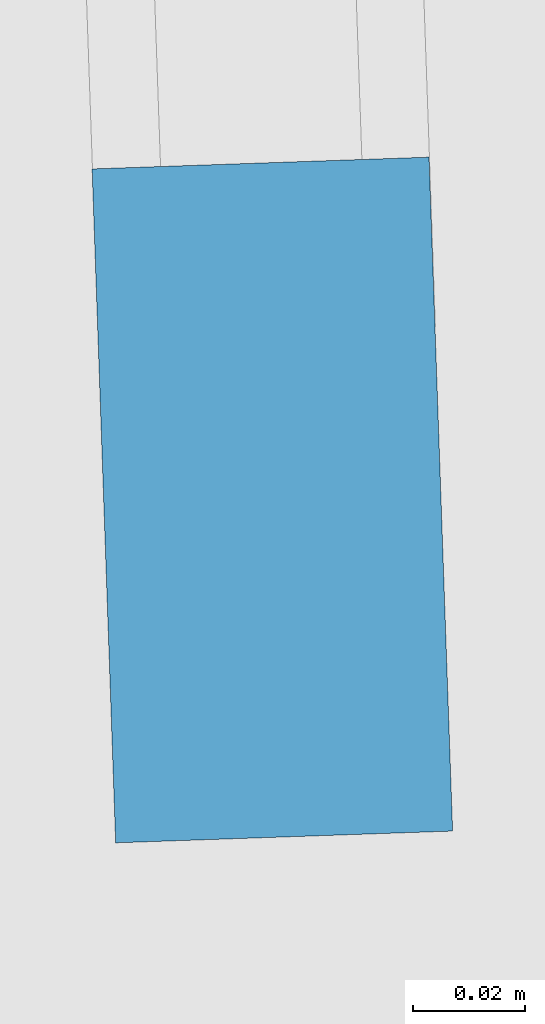
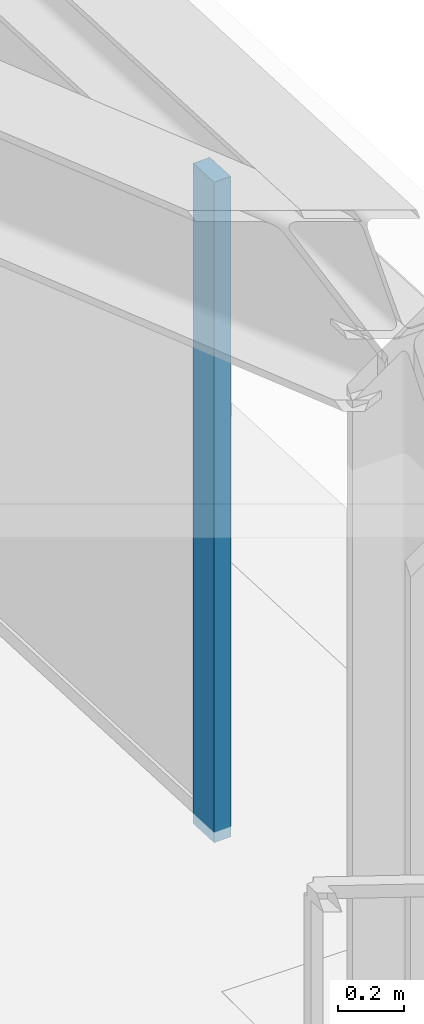
# One storey, part 6 of 13: 1 member, 1 element without a shape of its own.
"""IFC4 building model written with IfcOpenShell, lengths in metres."""

import ifcopenshell
import ifcopenshell.guid

model = None  # the IFC model being written
_history = None  # IfcOwnerHistory: only IFC2X3 demands one
_inside = {}  # id of a spatial element -> (the spatial element, [elements in it])
_under = {}  # id of a project, library or spatial element -> (it, [spatial elements below it])
_declared = {}  # id of a project -> (the project, [libraries it declares])
_typed = {}  # id of a type object -> (the type object, [elements of that type])
_made_of = {}  # id of a material, layer set ... -> (it, [elements and type objects made of it])


def new_model(schema):
    """Start an empty IFC model of exactly this schema.

    Asked for "IFC4X3", IfcOpenShell would pick the latest addendum, in which some entities
    have other attributes; the version numbers below select the first issue.
    IFC2X3 requires an IfcOwnerHistory on every rooted entity: one is made here for all.
    """
    global model, _history
    if schema == "IFC4X3":
        model = ifcopenshell.file(schema_version=(4, 3, 0, 0))
    else:
        model = ifcopenshell.file(schema=schema)
    _inside.clear()
    _under.clear()
    _declared.clear()
    _typed.clear()
    _made_of.clear()
    _history = None
    if model.schema == "IFC2X3":
        org = make("IfcOrganization", Name="unknown")
        user = make(
            "IfcPersonAndOrganization",
            ThePerson=make("IfcPerson", FamilyName="unknown"),
            TheOrganization=org,
        )
        app = make(
            "IfcApplication",
            ApplicationDeveloper=org,
            Version="unknown",
            ApplicationFullName="unknown",
            ApplicationIdentifier="unknown",
        )
        _history = make(
            "IfcOwnerHistory",
            OwningUser=user,
            OwningApplication=app,
            ChangeAction="ADDED",
            CreationDate=0,
        )
    return model


def make(cls, **values):
    """One entity of the class cls with the attributes given. An attribute that is None is left unset."""
    return model.create_entity(
        cls, **{name: value for name, value in values.items() if value is not None}
    )


def rooted(cls, **values):
    """An entity with a GlobalId (a new one), such as an element, a storey or a relation."""
    return make(cls, GlobalId=ifcopenshell.guid.new(), OwnerHistory=_history, **values)


def si_unit(unit_type, name, prefix=None):
    """IfcSIUnit, for example si_unit("LENGTHUNIT", "METRE", prefix="MILLI")."""
    return make("IfcSIUnit", UnitType=unit_type, Prefix=prefix, Name=name)


def assignment(units):
    """IfcUnitAssignment: the units of a project."""
    return None if units is None else make("IfcUnitAssignment", Units=units)


def point(xyz):
    """IfcCartesianPoint."""
    return None if xyz is None else make("IfcCartesianPoint", Coordinates=xyz)


def direction(xyz):
    """IfcDirection."""
    return None if xyz is None else make("IfcDirection", DirectionRatios=xyz)


def frame(location, z_axis=None, x_axis=None):
    """IfcAxis2Placement3D, a coordinate frame: its origin and axes. An axis left out is left unset."""
    return make(
        "IfcAxis2Placement3D",
        Location=point(location),
        Axis=direction(z_axis),
        RefDirection=direction(x_axis),
    )


def frame_2d(location, x_axis=None):
    """IfcAxis2Placement2D, a coordinate frame in the plane: its origin and x axis."""
    return make(
        "IfcAxis2Placement2D", Location=point(location), RefDirection=direction(x_axis)
    )


def origin():
    """The frame at (0, 0, 0) with its axes left unset."""
    return frame((0.0, 0.0, 0.0))


def origin_2d():
    """The frame at (0, 0) in the plane with its x axis left unset."""
    return frame_2d((0.0, 0.0))


def place(relative_to, where):
    """IfcLocalPlacement: puts the frame where relative to a parent placement (None: the world)."""
    return make(
        "IfcLocalPlacement", PlacementRelTo=relative_to, RelativePlacement=where
    )


def context(
    kind, dimensions, precision=None, world=None, true_north=None, identifier=None
):
    """IfcGeometricRepresentationContext, for example the 3D "Model" context."""
    return make(
        "IfcGeometricRepresentationContext",
        ContextIdentifier=identifier,
        ContextType=kind,
        CoordinateSpaceDimension=dimensions,
        Precision=precision,
        WorldCoordinateSystem=world,
        TrueNorth=true_north,
    )


def subcontext(parent, identifier, kind, view, scale=None):
    """IfcGeometricRepresentationSubContext, for example "Body" below "Model"."""
    return make(
        "IfcGeometricRepresentationSubContext",
        ContextIdentifier=identifier,
        ContextType=kind,
        ParentContext=parent,
        TargetScale=scale,
        TargetView=view,
    )


def project(units=None, contexts=None):
    """IfcProject with its units and contexts."""
    return rooted(
        "IfcProject",
        Name="project",
        RepresentationContexts=contexts,
        UnitsInContext=assignment(units),
    )


def spatial(cls, under=None, at=None, **own):
    """A site, building, storey or space (cls), placed at a placement, below another one or the project."""
    s = rooted(cls, ObjectPlacement=at, **own)
    if under is not None:
        _under.setdefault(under.id(), (under, []))[1].append(s)
    return s


def profile(cls, at=None, kind="AREA", **sizes):
    """A parametric profile (cls). Its sizes go by their IFC names, for example OverallWidth=200.0."""
    return make(cls, ProfileType=kind, Position=at, **sizes)


def rectangle(**sizes):
    """IfcRectangleProfileDef."""
    return profile("IfcRectangleProfileDef", **sizes)


def extrude(swept, where, along, depth):
    """IfcExtrudedAreaSolid: the profile swept, set in the frame where, extruded along a direction by depth."""
    return make(
        "IfcExtrudedAreaSolid",
        SweptArea=swept,
        Position=where,
        ExtrudedDirection=direction(along),
        Depth=depth,
    )


def shape(context_of_items, identifier, shape_type, items):
    """IfcShapeRepresentation: the items that make up one representation, for example the "Body"."""
    return make(
        "IfcShapeRepresentation",
        ContextOfItems=context_of_items,
        RepresentationIdentifier=identifier,
        RepresentationType=shape_type,
        Items=items,
    )


def material(Name=None, Category=None):
    """IfcMaterial."""
    return make("IfcMaterial", Name=Name, Category=Category)


def layer(
    of_material, thickness, ventilated=None, Name=None, Category=None, Priority=None
):
    """IfcMaterialLayer: one layer of a wall or slab, of a material (None: an air gap)."""
    return make(
        "IfcMaterialLayer",
        Material=of_material,
        LayerThickness=thickness,
        IsVentilated=ventilated,
        Name=Name,
        Category=Category,
        Priority=Priority,
    )


def layer_set(layers, Name=None):
    """IfcMaterialLayerSet."""
    return make("IfcMaterialLayerSet", MaterialLayers=layers, LayerSetName=Name)


def material_profile(
    of_material, cross_section, Name=None, Category=None, Priority=None
):
    """IfcMaterialProfile: a cross section and its material."""
    return make(
        "IfcMaterialProfile",
        Name=Name,
        Material=of_material,
        Profile=cross_section,
        Priority=Priority,
        Category=Category,
    )


def profile_set(profiles, Name=None, composite=None):
    """IfcMaterialProfileSet."""
    return make(
        "IfcMaterialProfileSet",
        Name=Name,
        MaterialProfiles=profiles,
        CompositeProfile=composite,
    )


def made_of(thing, what):
    """Note that an element or type object is made of a material, layer set ...; save() writes the relation."""
    if what is not None:
        _made_of.setdefault(what.id(), (what, []))[1].append(thing)
    return thing


def type_object(cls, material=None, **own):
    """A type object (cls), such as IfcWallType, which elements share."""
    return made_of(rooted(cls, **own), material)


def element(
    cls,
    number,
    at=None,
    inside=None,
    cuts=None,
    type_object=None,
    material=None,
    context=None,
    identifier="Body",
    shape_type=None,
    held_by="IfcProductDefinitionShape",
    body=None,
    shapes=None,
    **own,
):
    """One element of the class cls, such as IfcWall. Its Tag is "e" and its number.

    at: its placement. inside: the storey or other place that contains it. cuts: it is an
    opening in that element (IfcRelVoidsElement). A single representation is given by context,
    identifier, shape_type and body (its items); several are given by shapes. held_by: the class
    of the entity that holds the representations. save() writes the other relations.
    """
    e = rooted(cls, Tag="e%d" % number, ObjectPlacement=at, **own)
    if body is not None:
        shapes = [shape(context, identifier, shape_type, body)]
    if shapes is not None:
        e.Representation = make(held_by, Representations=shapes)
    if inside is not None:
        _inside.setdefault(inside.id(), (inside, []))[1].append(e)
    if cuts is not None:
        rooted(
            "IfcRelVoidsElement", RelatingBuildingElement=cuts, RelatedOpeningElement=e
        )
    if type_object is not None:
        _typed.setdefault(type_object.id(), (type_object, []))[1].append(e)
    return made_of(e, material)


def aggregate(whole, parts):
    """IfcRelAggregates: a whole, such as a stair, and the parts it consists of."""
    return rooted("IfcRelAggregates", RelatingObject=whole, RelatedObjects=parts)


def save(model, path):
    """Write the relations noted so far, then the file.

    IfcRelAggregates (storeys below a building ...), IfcRelContainedInSpatialStructure (elements
    in a storey), IfcRelDefinesByType, IfcRelAssociatesMaterial and IfcRelDeclares: one each for
    every whole, place, type object, material and project.
    """
    for whole, parts in _under.values():
        aggregate(whole, parts)
    for where, things in _inside.values():
        rooted(
            "IfcRelContainedInSpatialStructure",
            RelatedElements=things,
            RelatingStructure=where,
        )
    for kind, things in _typed.values():
        rooted("IfcRelDefinesByType", RelatedObjects=things, RelatingType=kind)
    for what, things in _made_of.values():
        rooted("IfcRelAssociatesMaterial", RelatedObjects=things, RelatingMaterial=what)
    for by, libraries in _declared.values():
        rooted("IfcRelDeclares", RelatingContext=by, RelatedDefinitions=libraries)
    model.write(path)


model = new_model("IFC4")

# Units and contexts
model_context = context("Model", 3, precision=1e-05, world=origin(), true_north=direction((0.0, 1.0)))
body_context = subcontext(model_context, "Body", "Model", "MODEL_VIEW")
ifc_project = project(units=[si_unit("LENGTHUNIT", "METRE"), si_unit("AREAUNIT", "SQUARE_METRE"), si_unit("VOLUMEUNIT", "CUBIC_METRE"), si_unit("PLANEANGLEUNIT", "RADIAN"), si_unit("MASSUNIT", "GRAM", prefix="KILO")], contexts=[model_context])

# Site, building, storey
site_placement = place(None, origin())
site = spatial("IfcSite", under=ifc_project, at=site_placement, CompositionType="ELEMENT")
building_placement = place(site_placement, origin())
building = spatial("IfcBuilding", under=site, at=building_placement, Name="Rocaltana Carrier Exchange", CompositionType="ELEMENT")
storey_placement = place(building_placement, frame((0.0, 0.0, 193.60009765625)))
storey = spatial("IfcBuildingStorey", under=building, at=storey_placement, Name="L61", CompositionType="ELEMENT", Elevation=193.60009765625)

# Curtain wall, member
ifc_material_1 = material(Name="Aluminium 6063-T6", Category="aluminium")
ifc_layer = layer(ifc_material_1, 0.1201171875)
ifc_layer_set = layer_set([ifc_layer], Name="Aluminium 6063-T6")
curtain_wall_type = type_object("IfcCurtainWallType", Name="High-Altitude Thermal Curtain Wall CW-05", PredefinedType="NOTDEFINED", material=ifc_layer_set)
curtain_wall_placement = place(storey_placement, origin())
curtain_wall = element("IfcCurtainWall", 1, at=curtain_wall_placement, inside=storey, type_object=curtain_wall_type, Name="L61 CW-05 Run CW-L61-F1S1", PredefinedType="NOTDEFINED")
ifc_material_2 = material(Name="Aluminium 6063-T6", Category="aluminium")
ifc_material_profile = material_profile(ifc_material_2, rectangle(XDim=0.06005859375, YDim=0.1201171875, at=origin_2d()), Name="AL-60X120")
ifc_profile_set = profile_set([ifc_material_profile], Name="Aluminium 6063-T6")
member_type = type_object("IfcMemberType", Name="CW-05 Mullion AL-60X120", PredefinedType="MULLION", material=ifc_profile_set)
member_placement = place(storey_placement, frame((11.421630859375, -15.480712890625, 0.0), z_axis=(0.0, 0.0, 1.0), x_axis=(-0.999390315991, -0.034914127567, 0.0)))
member = element("IfcMember", 2, at=member_placement, type_object=member_type, Name="CW-05 mullion 1", PredefinedType="MULLION", context=body_context, shape_type="SweptSolid", body=[
    extrude(rectangle(XDim=0.06005859375, YDim=0.1201171875, at=origin_2d()), origin(), (0.0, 0.0, 1.0), 2.447998046875),
])
aggregate(curtain_wall, [member])

save(model, "model.ifc")
